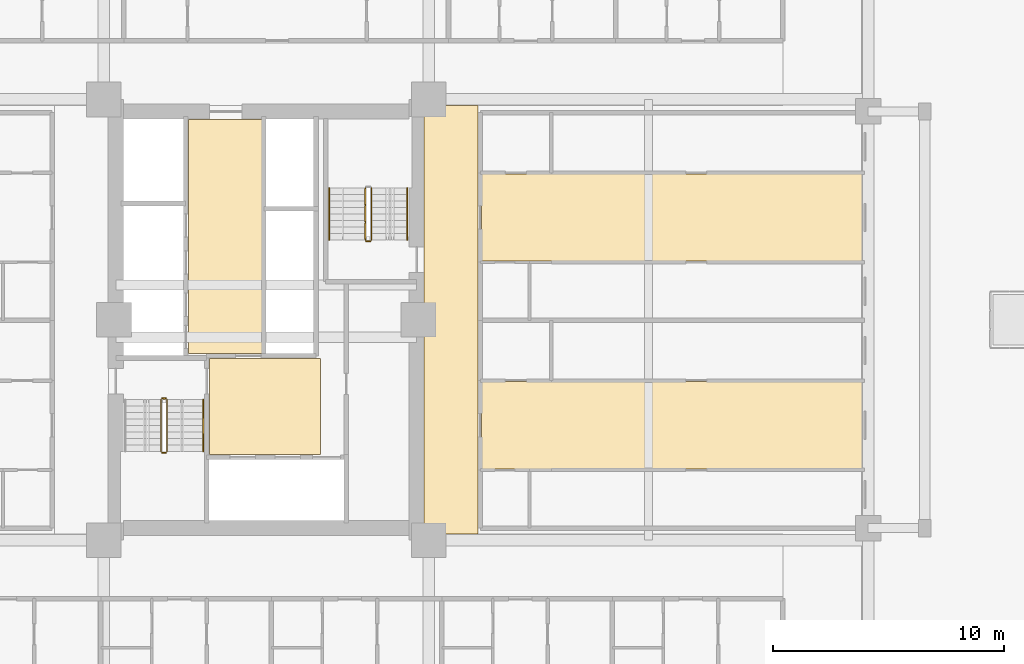
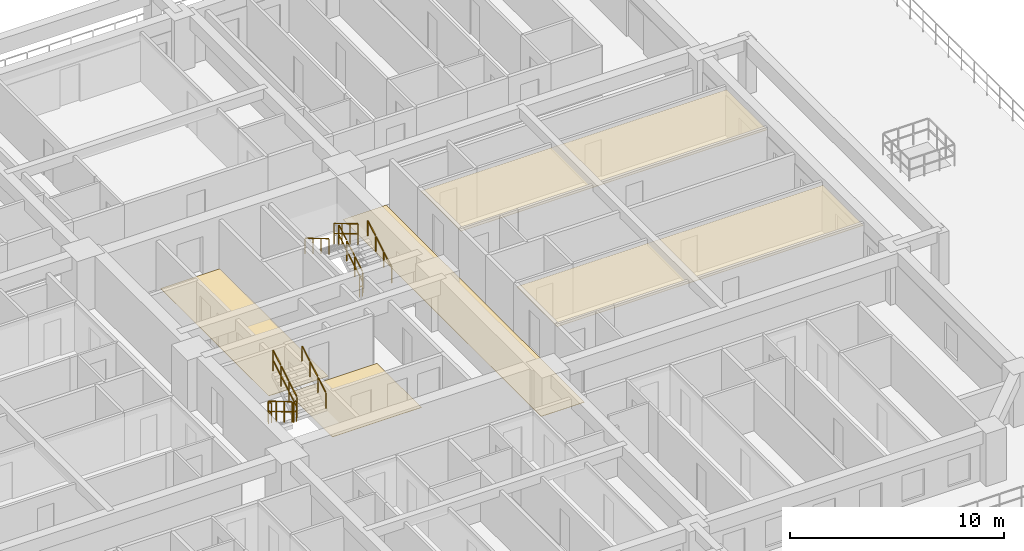
# One storey, part 16 of 19: 10 railings, 5 coverings.
"""IFC4 building model written with IfcOpenShell, lengths in metres."""

from ifc_helpers import new_model, si_unit, direction, frame, origin, origin_2d, place, context, subcontext, project, spatial, polyline, rectangle, outline, extrude, material, layer, layer_set, type_object, element, save


model = new_model("IFC4")

# Units and contexts
model_context = context("Model", 3, precision=1e-05, world=origin(), true_north=direction((0.0, 1.0)))
body_context = subcontext(model_context, "Body", "Model", "MODEL_VIEW")
ifc_project = project(units=[si_unit("LENGTHUNIT", "METRE"), si_unit("AREAUNIT", "SQUARE_METRE"), si_unit("VOLUMEUNIT", "CUBIC_METRE"), si_unit("PLANEANGLEUNIT", "RADIAN"), si_unit("MASSUNIT", "GRAM", prefix="KILO")], contexts=[model_context])

# Site, building, storey
site_placement = place(None, origin())
site = spatial("IfcSite", under=ifc_project, at=site_placement, CompositionType="ELEMENT")
building_placement = place(site_placement, origin())
building = spatial("IfcBuilding", under=site, at=building_placement, Name="Saelheon Loggia Tower", CompositionType="ELEMENT")
storey_placement = place(building_placement, frame((0.0, 0.0, 19.39990234375)))
storey = spatial("IfcBuildingStorey", under=building, at=storey_placement, Name="L05", CompositionType="ELEMENT", Elevation=19.39990234375)

# Coverings
ifc_material_1 = material(Name="Mineral-Fibre Acoustic Ceiling Board", Category="gypsum")
ifc_layer_1 = layer(ifc_material_1, 0.02490234375)
ifc_layer_set_1 = layer_set([ifc_layer_1], Name="Mineral-Fibre Acoustic Ceiling Board")
covering_type_1 = type_object("IfcCoveringType", Name="Cov_Ceiling_Acoustic", PredefinedType="CEILING", material=ifc_layer_set_1)
covering_1_placement = place(storey_placement, frame((0.0, 0.0, 2.53515625)))
element("IfcCovering", 1, at=covering_1_placement, inside=storey, type_object=covering_type_1, Name="L05 Acoustic Suspended Ceiling", PredefinedType="CEILING", context=body_context, shape_type="SweptSolid", body=[
    extrude(outline(polyline([(47.300048828125, 20.56298828125), (63.800048828125, 20.56298828125), (63.800048828125, 24.324951171875), (47.300048828125, 24.324951171875), (47.300048828125, 20.56298828125)])), origin(), (0.0, 0.0, 1.0), 0.02490234375),
])
covering_2_placement = place(storey_placement, frame((0.0, 0.0, 2.53515625)))
element("IfcCovering", 2, at=covering_2_placement, inside=storey, type_object=covering_type_1, Name="L05 Acoustic Suspended Ceiling", PredefinedType="CEILING", context=body_context, shape_type="SweptSolid", body=[
    extrude(outline(polyline([(47.300048828125, 29.5380859375), (63.800048828125, 29.5380859375), (63.800048828125, 33.300048828125), (47.300048828125, 33.300048828125), (47.300048828125, 29.5380859375)])), origin(), (0.0, 0.0, 1.0), 0.02490234375),
])
ifc_material_2 = material(Name="Vitrified Porcelain Floor Tile", Category="ceramic")
ifc_layer_2 = layer(ifc_material_2, 0.02001953125)
ifc_layer_set_2 = layer_set([ifc_layer_2], Name="Vitrified Porcelain Floor Tile")
covering_type_2 = type_object("IfcCoveringType", Name="Cov_Floor_Porcelain", PredefinedType="FLOORING", material=ifc_layer_set_2)
covering_3_placement = place(storey_placement, origin())
element("IfcCovering", 3, at=covering_3_placement, inside=storey, type_object=covering_type_2, Name="L05 Corridor Porcelain Flooring", PredefinedType="FLOORING", context=body_context, shape_type="SweptSolid", body=[
    extrude(outline(polyline([(35.550048828125, 21.179931640625), (40.35009765625, 21.179931640625), (40.35009765625, 25.320068359375), (35.550048828125, 25.320068359375), (35.550048828125, 21.179931640625)])), origin(), (0.0, 0.0, 1.0), 0.02001953125),
])
covering_4_placement = place(storey_placement, origin())
element("IfcCovering", 4, at=covering_4_placement, inside=storey, type_object=covering_type_2, Name="L05 Corridor Porcelain Flooring", PredefinedType="FLOORING", context=body_context, shape_type="SweptSolid", body=[
    extrude(outline(polyline([(34.64990234375, 25.550048828125), (37.85009765625, 25.550048828125), (37.85009765625, 35.64990234375), (34.64990234375, 35.64990234375), (34.64990234375, 25.550048828125)])), origin(), (0.0, 0.0, 1.0), 0.02001953125),
])
covering_5_placement = place(storey_placement, origin())
element("IfcCovering", 5, at=covering_5_placement, inside=storey, type_object=covering_type_2, Name="L05 Corridor Porcelain Flooring", PredefinedType="FLOORING", context=body_context, shape_type="SweptSolid", body=[
    extrude(outline(polyline([(44.820068359375, 17.75), (47.14990234375, 17.75), (47.14990234375, 36.25), (44.820068359375, 36.25), (44.820068359375, 17.75)])), origin(), (0.0, 0.0, 1.0), 0.02001953125),
])

# Railings
ifc_material_3 = material(Name="Galvanised Steel S275 Stairwell Guardrail", Category="steel")
railing_type_1 = type_object("IfcRailingType", Name="Guard_StairWell_RL_STG", PredefinedType="GUARDRAIL", material=ifc_material_3)
railing_1_placement = place(storey_placement, frame((33.4599609375, 23.550048828125, 0.166748046875)))
element("IfcRailing", 6, at=railing_1_placement, inside=storey, type_object=railing_type_1, Name="L05 ST1 stair guard 1", PredefinedType="GUARDRAIL", context=body_context, shape_type="SweptSolid", body=[
    extrude(rectangle(XDim=0.048095703125, YDim=0.048095703125, at=origin_2d()), frame((0.0, -0.028564453125, 1.19287109375), z_axis=(0.0, -0.859305625298, 0.511462454469), x_axis=(1.0, 0.0, 0.0)), (0.0, 0.0, 1.0), 0.802490234375),
    extrude(rectangle(XDim=0.048095703125, YDim=0.048095703125, at=origin_2d()), frame((0.0, -0.028564453125, 0.616943359375), z_axis=(0.0, -0.859305625298, 0.511462454469), x_axis=(1.0, 0.0, 0.0)), (0.0, 0.0, 1.0), 0.802490234375),
    extrude(rectangle(XDim=0.048095703125, YDim=0.048095703125, at=origin_2d()), frame((0.0, -0.775146484375, 1.63720703125), z_axis=(0.0, -0.859305625298, 0.511462454469), x_axis=(1.0, 0.0, 0.0)), (0.0, 0.0, 1.0), 0.802490234375),
    extrude(rectangle(XDim=0.048095703125, YDim=0.048095703125, at=origin_2d()), frame((0.0, -0.775146484375, 1.061279296875), z_axis=(0.0, -0.859305625298, 0.511462454469), x_axis=(1.0, 0.0, 0.0)), (0.0, 0.0, 1.0), 0.802490234375),
    extrude(rectangle(XDim=0.048095703125, YDim=0.048095703125, at=origin_2d()), frame((0.0, -1.52197265625, 2.081787109375), z_axis=(0.0, -0.859305625298, 0.511462454469), x_axis=(1.0, 0.0, 0.0)), (0.0, 0.0, 1.0), 0.802490234375),
    extrude(rectangle(XDim=0.048095703125, YDim=0.048095703125, at=origin_2d()), frame((0.0, -1.52197265625, 1.505859375), z_axis=(0.0, -0.859305625298, 0.511462454469), x_axis=(1.0, 0.0, 0.0)), (0.0, 0.0, 1.0), 0.802490234375),
    extrude(rectangle(XDim=0.0419921875, YDim=0.0419921875, at=origin_2d()), origin(), (0.0, 0.0, 1.0), 1.14794921875),
    extrude(rectangle(XDim=0.0419921875, YDim=0.0419921875, at=origin_2d()), frame((0.0, -0.74658203125, 0.4443359375)), (0.0, 0.0, 1.0), 1.14794921875),
    extrude(rectangle(XDim=0.0419921875, YDim=0.0419921875, at=origin_2d()), frame((0.0, -1.493408203125, 0.888916015625)), (0.0, 0.0, 1.0), 1.14794921875),
    extrude(rectangle(XDim=0.0419921875, YDim=0.0419921875, at=origin_2d()), frame((0.0, -2.239990234375, 1.333251953125)), (0.0, 0.0, 1.0), 1.14794921875),
])
railing_2_placement = place(storey_placement, frame((33.510009765625, 21.260009765625, 1.5)))
element("IfcRailing", 7, at=railing_2_placement, inside=storey, type_object=railing_type_1, Name="L05 ST1 stair guard 2", PredefinedType="GUARDRAIL", context=body_context, shape_type="SweptSolid", body=[
    extrude(rectangle(XDim=0.048095703125, YDim=0.048095703125, at=origin_2d()), frame((0.033203125, 0.0, 1.17578125), z_axis=(1.0, 0.0, 0.0), x_axis=(0.0, 1.0, 0.0)), (0.0, 0.0, 1.0), 0.093505859375),
    extrude(rectangle(XDim=0.048095703125, YDim=0.048095703125, at=origin_2d()), frame((0.033203125, 0.0, 0.60009765625), z_axis=(1.0, 0.0, 0.0), x_axis=(0.0, 1.0, 0.0)), (0.0, 0.0, 1.0), 0.093505859375),
    extrude(rectangle(XDim=0.0419921875, YDim=0.0419921875, at=origin_2d()), origin(), (0.0, 0.0, 1.0), 1.14794921875),
    extrude(rectangle(XDim=0.0419921875, YDim=0.0419921875, at=origin_2d()), frame((0.159912109375, 0.0, 0.0)), (0.0, 0.0, 1.0), 1.14794921875),
])
railing_3_placement = place(storey_placement, frame((33.719970703125, 21.31005859375, 1.666748046875)))
element("IfcRailing", 8, at=railing_3_placement, inside=storey, type_object=railing_type_1, Name="L05 ST1 stair guard 3", PredefinedType="GUARDRAIL", context=body_context, shape_type="SweptSolid", body=[
    extrude(rectangle(XDim=0.048095703125, YDim=0.048095703125, at=origin_2d()), frame((0.0, 0.028564453125, 1.19287109375), z_axis=(0.0, 0.859305625298, 0.511462454469), x_axis=(-1.0, 0.0, 0.0)), (0.0, 0.0, 1.0), 0.802490234375),
    extrude(rectangle(XDim=0.048095703125, YDim=0.048095703125, at=origin_2d()), frame((0.0, 0.028564453125, 0.616943359375), z_axis=(0.0, 0.859305625298, 0.511462454469), x_axis=(-1.0, 0.0, 0.0)), (0.0, 0.0, 1.0), 0.802490234375),
    extrude(rectangle(XDim=0.048095703125, YDim=0.048095703125, at=origin_2d()), frame((0.0, 0.775146484375, 1.63720703125), z_axis=(0.0, 0.859305625298, 0.511462454469), x_axis=(-1.0, 0.0, 0.0)), (0.0, 0.0, 1.0), 0.802490234375),
    extrude(rectangle(XDim=0.048095703125, YDim=0.048095703125, at=origin_2d()), frame((0.0, 0.775146484375, 1.061279296875), z_axis=(0.0, 0.859305625298, 0.511462454469), x_axis=(-1.0, 0.0, 0.0)), (0.0, 0.0, 1.0), 0.802490234375),
    extrude(rectangle(XDim=0.048095703125, YDim=0.048095703125, at=origin_2d()), frame((0.0, 1.52197265625, 2.081787109375), z_axis=(0.0, 0.859305625298, 0.511462454469), x_axis=(-1.0, 0.0, 0.0)), (0.0, 0.0, 1.0), 0.802490234375),
    extrude(rectangle(XDim=0.048095703125, YDim=0.048095703125, at=origin_2d()), frame((0.0, 1.52197265625, 1.505859375), z_axis=(0.0, 0.859305625298, 0.511462454469), x_axis=(-1.0, 0.0, 0.0)), (0.0, 0.0, 1.0), 0.802490234375),
    extrude(rectangle(XDim=0.0419921875, YDim=0.0419921875, at=origin_2d()), origin(), (0.0, 0.0, 1.0), 1.14794921875),
    extrude(rectangle(XDim=0.0419921875, YDim=0.0419921875, at=origin_2d()), frame((0.0, 0.74658203125, 0.4443359375)), (0.0, 0.0, 1.0), 1.14794921875),
    extrude(rectangle(XDim=0.0419921875, YDim=0.0419921875, at=origin_2d()), frame((0.0, 1.493408203125, 0.888916015625)), (0.0, 0.0, 1.0), 1.14794921875),
    extrude(rectangle(XDim=0.0419921875, YDim=0.0419921875, at=origin_2d()), frame((0.0, 2.239990234375, 1.333251953125)), (0.0, 0.0, 1.0), 1.14794921875),
])
railing_4_placement = place(storey_placement, frame((33.510009765625, 23.60009765625, 0.0)))
element("IfcRailing", 9, at=railing_4_placement, inside=storey, type_object=railing_type_1, Name="L05 ST1 stair guard 4", PredefinedType="GUARDRAIL", context=body_context, shape_type="SweptSolid", body=[
    extrude(rectangle(XDim=0.048095703125, YDim=0.048095703125, at=origin_2d()), frame((0.033203125, 0.0, 1.17578125), z_axis=(1.0, 0.0, 0.0), x_axis=(0.0, 1.0, 0.0)), (0.0, 0.0, 1.0), 0.093505859375),
    extrude(rectangle(XDim=0.048095703125, YDim=0.048095703125, at=origin_2d()), frame((0.033203125, 0.0, 0.60009765625), z_axis=(1.0, 0.0, 0.0), x_axis=(0.0, 1.0, 0.0)), (0.0, 0.0, 1.0), 0.093505859375),
    extrude(rectangle(XDim=0.0419921875, YDim=0.0419921875, at=origin_2d()), origin(), (0.0, 0.0, 1.0), 1.14794921875),
    extrude(rectangle(XDim=0.0419921875, YDim=0.0419921875, at=origin_2d()), frame((0.159912109375, 0.0, 0.0)), (0.0, 0.0, 1.0), 1.14794921875),
])
railing_5_placement = place(storey_placement, frame((42.5400390625, 30.449951171875, 0.166748046875)))
element("IfcRailing", 10, at=railing_5_placement, inside=storey, type_object=railing_type_1, Name="L05 ST2 stair guard 1", PredefinedType="GUARDRAIL", context=body_context, shape_type="SweptSolid", body=[
    extrude(rectangle(XDim=0.048095703125, YDim=0.048095703125, at=origin_2d()), frame((0.0, 0.028564453125, 1.19287109375), z_axis=(0.0, 0.859305625298, 0.511462454469), x_axis=(-1.0, 0.0, 0.0)), (0.0, 0.0, 1.0), 0.802490234375),
    extrude(rectangle(XDim=0.048095703125, YDim=0.048095703125, at=origin_2d()), frame((0.0, 0.028564453125, 0.616943359375), z_axis=(0.0, 0.859305625298, 0.511462454469), x_axis=(-1.0, 0.0, 0.0)), (0.0, 0.0, 1.0), 0.802490234375),
    extrude(rectangle(XDim=0.048095703125, YDim=0.048095703125, at=origin_2d()), frame((0.0, 0.775146484375, 1.63720703125), z_axis=(0.0, 0.859305625298, 0.511462454469), x_axis=(-1.0, 0.0, 0.0)), (0.0, 0.0, 1.0), 0.802490234375),
    extrude(rectangle(XDim=0.048095703125, YDim=0.048095703125, at=origin_2d()), frame((0.0, 0.775146484375, 1.061279296875), z_axis=(0.0, 0.859305625298, 0.511462454469), x_axis=(-1.0, 0.0, 0.0)), (0.0, 0.0, 1.0), 0.802490234375),
    extrude(rectangle(XDim=0.048095703125, YDim=0.048095703125, at=origin_2d()), frame((0.0, 1.52197265625, 2.081787109375), z_axis=(0.0, 0.859305625298, 0.511462454469), x_axis=(-1.0, 0.0, 0.0)), (0.0, 0.0, 1.0), 0.802490234375),
    extrude(rectangle(XDim=0.048095703125, YDim=0.048095703125, at=origin_2d()), frame((0.0, 1.52197265625, 1.505859375), z_axis=(0.0, 0.859305625298, 0.511462454469), x_axis=(-1.0, 0.0, 0.0)), (0.0, 0.0, 1.0), 0.802490234375),
    extrude(rectangle(XDim=0.0419921875, YDim=0.0419921875, at=origin_2d()), origin(), (0.0, 0.0, 1.0), 1.14794921875),
    extrude(rectangle(XDim=0.0419921875, YDim=0.0419921875, at=origin_2d()), frame((0.0, 0.74658203125, 0.4443359375)), (0.0, 0.0, 1.0), 1.14794921875),
    extrude(rectangle(XDim=0.0419921875, YDim=0.0419921875, at=origin_2d()), frame((0.0, 1.493408203125, 0.888916015625)), (0.0, 0.0, 1.0), 1.14794921875),
    extrude(rectangle(XDim=0.0419921875, YDim=0.0419921875, at=origin_2d()), frame((0.0, 2.239990234375, 1.333251953125)), (0.0, 0.0, 1.0), 1.14794921875),
])
railing_6_placement = place(storey_placement, frame((42.280029296875, 32.68994140625, 1.666748046875)))
element("IfcRailing", 11, at=railing_6_placement, inside=storey, type_object=railing_type_1, Name="L05 ST2 stair guard 3", PredefinedType="GUARDRAIL", context=body_context, shape_type="SweptSolid", body=[
    extrude(rectangle(XDim=0.048095703125, YDim=0.048095703125, at=origin_2d()), frame((0.0, -0.028564453125, 1.19287109375), z_axis=(0.0, -0.859305625298, 0.511462454469), x_axis=(1.0, 0.0, 0.0)), (0.0, 0.0, 1.0), 0.802490234375),
    extrude(rectangle(XDim=0.048095703125, YDim=0.048095703125, at=origin_2d()), frame((0.0, -0.028564453125, 0.616943359375), z_axis=(0.0, -0.859305625298, 0.511462454469), x_axis=(1.0, 0.0, 0.0)), (0.0, 0.0, 1.0), 0.802490234375),
    extrude(rectangle(XDim=0.048095703125, YDim=0.048095703125, at=origin_2d()), frame((0.0, -0.775146484375, 1.63720703125), z_axis=(0.0, -0.859305625298, 0.511462454469), x_axis=(1.0, 0.0, 0.0)), (0.0, 0.0, 1.0), 0.802490234375),
    extrude(rectangle(XDim=0.048095703125, YDim=0.048095703125, at=origin_2d()), frame((0.0, -0.775146484375, 1.061279296875), z_axis=(0.0, -0.859305625298, 0.511462454469), x_axis=(1.0, 0.0, 0.0)), (0.0, 0.0, 1.0), 0.802490234375),
    extrude(rectangle(XDim=0.048095703125, YDim=0.048095703125, at=origin_2d()), frame((0.0, -1.52197265625, 2.081787109375), z_axis=(0.0, -0.859305625298, 0.511462454469), x_axis=(1.0, 0.0, 0.0)), (0.0, 0.0, 1.0), 0.802490234375),
    extrude(rectangle(XDim=0.048095703125, YDim=0.048095703125, at=origin_2d()), frame((0.0, -1.52197265625, 1.505859375), z_axis=(0.0, -0.859305625298, 0.511462454469), x_axis=(1.0, 0.0, 0.0)), (0.0, 0.0, 1.0), 0.802490234375),
    extrude(rectangle(XDim=0.0419921875, YDim=0.0419921875, at=origin_2d()), origin(), (0.0, 0.0, 1.0), 1.14794921875),
    extrude(rectangle(XDim=0.0419921875, YDim=0.0419921875, at=origin_2d()), frame((0.0, -0.74658203125, 0.4443359375)), (0.0, 0.0, 1.0), 1.14794921875),
    extrude(rectangle(XDim=0.0419921875, YDim=0.0419921875, at=origin_2d()), frame((0.0, -1.493408203125, 0.888916015625)), (0.0, 0.0, 1.0), 1.14794921875),
    extrude(rectangle(XDim=0.0419921875, YDim=0.0419921875, at=origin_2d()), frame((0.0, -2.239990234375, 1.333251953125)), (0.0, 0.0, 1.0), 1.14794921875),
])
railing_7_placement = place(storey_placement, frame((42.489990234375, 30.39990234375, 0.0)))
element("IfcRailing", 12, at=railing_7_placement, inside=storey, type_object=railing_type_1, Name="L05 ST2 stair guard 4", PredefinedType="GUARDRAIL", context=body_context, shape_type="SweptSolid", body=[
    extrude(rectangle(XDim=0.048095703125, YDim=0.048095703125, at=origin_2d()), frame((-0.033203125, 0.0, 1.17578125), z_axis=(-1.0, 0.0, 0.0), x_axis=(0.0, -1.0, 0.0)), (0.0, 0.0, 1.0), 0.093505859375),
    extrude(rectangle(XDim=0.048095703125, YDim=0.048095703125, at=origin_2d()), frame((-0.033203125, 0.0, 0.60009765625), z_axis=(-1.0, 0.0, 0.0), x_axis=(0.0, -1.0, 0.0)), (0.0, 0.0, 1.0), 0.093505859375),
    extrude(rectangle(XDim=0.0419921875, YDim=0.0419921875, at=origin_2d()), origin(), (0.0, 0.0, 1.0), 1.14794921875),
    extrude(rectangle(XDim=0.0419921875, YDim=0.0419921875, at=origin_2d()), frame((-0.159912109375, 0.0, 0.0)), (0.0, 0.0, 1.0), 1.14794921875),
])
ifc_material_4 = material(Name="Stainless Steel 304 Tubular Handrail", Category="steel")
railing_type_2 = type_object("IfcRailingType", Name="Handrail_Stair_RL_HR1", PredefinedType="HANDRAIL", material=ifc_material_4)
for number, where, name in (
    (13, (35.280029296875, 21.31005859375, 1.666748046875), "L05 ST1 stair handrail 2"),
    (14, (44.10009765625, 30.449951171875, 0.166748046875), "L05 ST2 stair handrail 1"),
):
    element("IfcRailing", number, at=place(storey_placement, frame(where)), inside=storey, type_object=railing_type_2, Name=name, PredefinedType="HANDRAIL", context=body_context, shape_type="SweptSolid", body=[
        extrude(rectangle(XDim=0.048095703125, YDim=0.048095703125, at=origin_2d()), frame((0.0, 0.028564453125, 0.892822265625), z_axis=(0.0, 0.859305625298, 0.511462454469), x_axis=(-1.0, 0.0, 0.0)), (0.0, 0.0, 1.0), 0.802490234375),
        extrude(rectangle(XDim=0.048095703125, YDim=0.048095703125, at=origin_2d()), frame((0.0, 0.775146484375, 1.337158203125), z_axis=(0.0, 0.859305625298, 0.511462454469), x_axis=(-1.0, 0.0, 0.0)), (0.0, 0.0, 1.0), 0.802490234375),
        extrude(rectangle(XDim=0.048095703125, YDim=0.048095703125, at=origin_2d()), frame((0.0, 1.52197265625, 1.78173828125), z_axis=(0.0, 0.859305625298, 0.511462454469), x_axis=(-1.0, 0.0, 0.0)), (0.0, 0.0, 1.0), 0.802490234375),
        extrude(rectangle(XDim=0.0419921875, YDim=0.0419921875, at=origin_2d()), origin(), (0.0, 0.0, 1.0), 0.847900390625),
        extrude(rectangle(XDim=0.0419921875, YDim=0.0419921875, at=origin_2d()), frame((0.0, 0.74658203125, 0.4443359375)), (0.0, 0.0, 1.0), 0.847900390625),
        extrude(rectangle(XDim=0.0419921875, YDim=0.0419921875, at=origin_2d()), frame((0.0, 1.493408203125, 0.888916015625)), (0.0, 0.0, 1.0), 0.847900390625),
        extrude(rectangle(XDim=0.0419921875, YDim=0.0419921875, at=origin_2d()), frame((0.0, 2.239990234375, 1.333251953125)), (0.0, 0.0, 1.0), 0.847900390625),
    ])
railing_8_placement = place(storey_placement, frame((40.719970703125, 32.68994140625, 1.666748046875)))
element("IfcRailing", 15, at=railing_8_placement, inside=storey, type_object=railing_type_2, Name="L05 ST2 stair handrail 2", PredefinedType="HANDRAIL", context=body_context, shape_type="SweptSolid", body=[
    extrude(rectangle(XDim=0.048095703125, YDim=0.048095703125, at=origin_2d()), frame((0.0, -0.028564453125, 0.892822265625), z_axis=(0.0, -0.859305625298, 0.511462454469), x_axis=(1.0, 0.0, 0.0)), (0.0, 0.0, 1.0), 0.802490234375),
    extrude(rectangle(XDim=0.048095703125, YDim=0.048095703125, at=origin_2d()), frame((0.0, -0.775146484375, 1.337158203125), z_axis=(0.0, -0.859305625298, 0.511462454469), x_axis=(1.0, 0.0, 0.0)), (0.0, 0.0, 1.0), 0.802490234375),
    extrude(rectangle(XDim=0.048095703125, YDim=0.048095703125, at=origin_2d()), frame((0.0, -1.52197265625, 1.78173828125), z_axis=(0.0, -0.859305625298, 0.511462454469), x_axis=(1.0, 0.0, 0.0)), (0.0, 0.0, 1.0), 0.802490234375),
    extrude(rectangle(XDim=0.0419921875, YDim=0.0419921875, at=origin_2d()), origin(), (0.0, 0.0, 1.0), 0.847900390625),
    extrude(rectangle(XDim=0.0419921875, YDim=0.0419921875, at=origin_2d()), frame((0.0, -0.74658203125, 0.4443359375)), (0.0, 0.0, 1.0), 0.847900390625),
    extrude(rectangle(XDim=0.0419921875, YDim=0.0419921875, at=origin_2d()), frame((0.0, -1.493408203125, 0.888916015625)), (0.0, 0.0, 1.0), 0.847900390625),
    extrude(rectangle(XDim=0.0419921875, YDim=0.0419921875, at=origin_2d()), frame((0.0, -2.239990234375, 1.333251953125)), (0.0, 0.0, 1.0), 0.847900390625),
])

save(model, "model.ifc")
